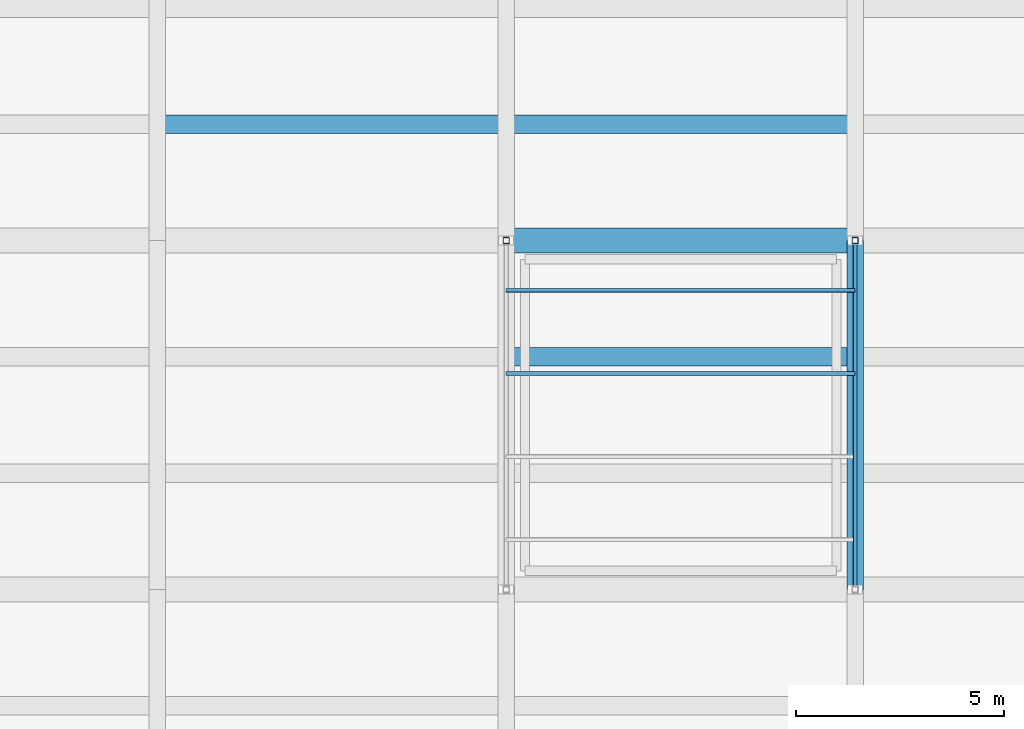
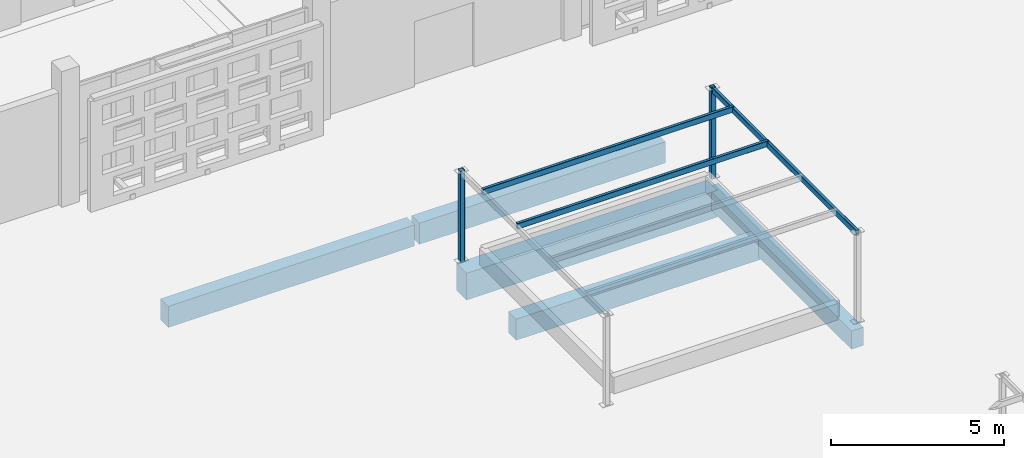
# One storey, part 25 of 129: 5 beams, 5 members.
"""IFC4 building model written with IfcOpenShell, lengths in metres."""

import ifcopenshell
import ifcopenshell.guid

model = None  # the IFC model being written
_history = None  # IfcOwnerHistory: only IFC2X3 demands one
_inside = {}  # id of a spatial element -> (the spatial element, [elements in it])
_under = {}  # id of a project, library or spatial element -> (it, [spatial elements below it])
_declared = {}  # id of a project -> (the project, [libraries it declares])
_typed = {}  # id of a type object -> (the type object, [elements of that type])
_made_of = {}  # id of a material, layer set ... -> (it, [elements and type objects made of it])


def new_model(schema):
    """Start an empty IFC model of exactly this schema.

    Asked for "IFC4X3", IfcOpenShell would pick the latest addendum, in which some entities
    have other attributes; the version numbers below select the first issue.
    IFC2X3 requires an IfcOwnerHistory on every rooted entity: one is made here for all.
    """
    global model, _history
    if schema == "IFC4X3":
        model = ifcopenshell.file(schema_version=(4, 3, 0, 0))
    else:
        model = ifcopenshell.file(schema=schema)
    _inside.clear()
    _under.clear()
    _declared.clear()
    _typed.clear()
    _made_of.clear()
    _history = None
    if model.schema == "IFC2X3":
        org = make("IfcOrganization", Name="unknown")
        user = make(
            "IfcPersonAndOrganization",
            ThePerson=make("IfcPerson", FamilyName="unknown"),
            TheOrganization=org,
        )
        app = make(
            "IfcApplication",
            ApplicationDeveloper=org,
            Version="unknown",
            ApplicationFullName="unknown",
            ApplicationIdentifier="unknown",
        )
        _history = make(
            "IfcOwnerHistory",
            OwningUser=user,
            OwningApplication=app,
            ChangeAction="ADDED",
            CreationDate=0,
        )
    return model


def make(cls, **values):
    """One entity of the class cls with the attributes given. An attribute that is None is left unset."""
    return model.create_entity(
        cls, **{name: value for name, value in values.items() if value is not None}
    )


def rooted(cls, **values):
    """An entity with a GlobalId (a new one), such as an element, a storey or a relation."""
    return make(cls, GlobalId=ifcopenshell.guid.new(), OwnerHistory=_history, **values)


def si_unit(unit_type, name, prefix=None):
    """IfcSIUnit, for example si_unit("LENGTHUNIT", "METRE", prefix="MILLI")."""
    return make("IfcSIUnit", UnitType=unit_type, Prefix=prefix, Name=name)


def assignment(units):
    """IfcUnitAssignment: the units of a project."""
    return None if units is None else make("IfcUnitAssignment", Units=units)


def point(xyz):
    """IfcCartesianPoint."""
    return None if xyz is None else make("IfcCartesianPoint", Coordinates=xyz)


def direction(xyz):
    """IfcDirection."""
    return None if xyz is None else make("IfcDirection", DirectionRatios=xyz)


def frame(location, z_axis=None, x_axis=None):
    """IfcAxis2Placement3D, a coordinate frame: its origin and axes. An axis left out is left unset."""
    return make(
        "IfcAxis2Placement3D",
        Location=point(location),
        Axis=direction(z_axis),
        RefDirection=direction(x_axis),
    )


def frame_2d(location, x_axis=None):
    """IfcAxis2Placement2D, a coordinate frame in the plane: its origin and x axis."""
    return make(
        "IfcAxis2Placement2D", Location=point(location), RefDirection=direction(x_axis)
    )


def origin():
    """The frame at (0, 0, 0) with its axes left unset."""
    return frame((0.0, 0.0, 0.0))


def origin_2d():
    """The frame at (0, 0) in the plane with its x axis left unset."""
    return frame_2d((0.0, 0.0))


def place(relative_to, where):
    """IfcLocalPlacement: puts the frame where relative to a parent placement (None: the world)."""
    return make(
        "IfcLocalPlacement", PlacementRelTo=relative_to, RelativePlacement=where
    )


def context(
    kind, dimensions, precision=None, world=None, true_north=None, identifier=None
):
    """IfcGeometricRepresentationContext, for example the 3D "Model" context."""
    return make(
        "IfcGeometricRepresentationContext",
        ContextIdentifier=identifier,
        ContextType=kind,
        CoordinateSpaceDimension=dimensions,
        Precision=precision,
        WorldCoordinateSystem=world,
        TrueNorth=true_north,
    )


def subcontext(parent, identifier, kind, view, scale=None):
    """IfcGeometricRepresentationSubContext, for example "Body" below "Model"."""
    return make(
        "IfcGeometricRepresentationSubContext",
        ContextIdentifier=identifier,
        ContextType=kind,
        ParentContext=parent,
        TargetScale=scale,
        TargetView=view,
    )


def project(units=None, contexts=None):
    """IfcProject with its units and contexts."""
    return rooted(
        "IfcProject",
        Name="project",
        RepresentationContexts=contexts,
        UnitsInContext=assignment(units),
    )


def spatial(cls, under=None, at=None, **own):
    """A site, building, storey or space (cls), placed at a placement, below another one or the project."""
    s = rooted(cls, ObjectPlacement=at, **own)
    if under is not None:
        _under.setdefault(under.id(), (under, []))[1].append(s)
    return s


def profile(cls, at=None, kind="AREA", **sizes):
    """A parametric profile (cls). Its sizes go by their IFC names, for example OverallWidth=200.0."""
    return make(cls, ProfileType=kind, Position=at, **sizes)


def rectangle(**sizes):
    """IfcRectangleProfileDef."""
    return profile("IfcRectangleProfileDef", **sizes)


def hollow_rectangle(**sizes):
    """IfcRectangleHollowProfileDef."""
    return profile("IfcRectangleHollowProfileDef", **sizes)


def extrude(swept, where, along, depth):
    """IfcExtrudedAreaSolid: the profile swept, set in the frame where, extruded along a direction by depth."""
    return make(
        "IfcExtrudedAreaSolid",
        SweptArea=swept,
        Position=where,
        ExtrudedDirection=direction(along),
        Depth=depth,
    )


def shape(context_of_items, identifier, shape_type, items):
    """IfcShapeRepresentation: the items that make up one representation, for example the "Body"."""
    return make(
        "IfcShapeRepresentation",
        ContextOfItems=context_of_items,
        RepresentationIdentifier=identifier,
        RepresentationType=shape_type,
        Items=items,
    )


def material(Name=None, Category=None):
    """IfcMaterial."""
    return make("IfcMaterial", Name=Name, Category=Category)


def material_profile(
    of_material, cross_section, Name=None, Category=None, Priority=None
):
    """IfcMaterialProfile: a cross section and its material."""
    return make(
        "IfcMaterialProfile",
        Name=Name,
        Material=of_material,
        Profile=cross_section,
        Priority=Priority,
        Category=Category,
    )


def profile_set(profiles, Name=None, composite=None):
    """IfcMaterialProfileSet."""
    return make(
        "IfcMaterialProfileSet",
        Name=Name,
        MaterialProfiles=profiles,
        CompositeProfile=composite,
    )


def made_of(thing, what):
    """Note that an element or type object is made of a material, layer set ...; save() writes the relation."""
    if what is not None:
        _made_of.setdefault(what.id(), (what, []))[1].append(thing)
    return thing


def type_object(cls, material=None, **own):
    """A type object (cls), such as IfcWallType, which elements share."""
    return made_of(rooted(cls, **own), material)


def element(
    cls,
    number,
    at=None,
    inside=None,
    cuts=None,
    type_object=None,
    material=None,
    context=None,
    identifier="Body",
    shape_type=None,
    held_by="IfcProductDefinitionShape",
    body=None,
    shapes=None,
    **own,
):
    """One element of the class cls, such as IfcWall. Its Tag is "e" and its number.

    at: its placement. inside: the storey or other place that contains it. cuts: it is an
    opening in that element (IfcRelVoidsElement). A single representation is given by context,
    identifier, shape_type and body (its items); several are given by shapes. held_by: the class
    of the entity that holds the representations. save() writes the other relations.
    """
    e = rooted(cls, Tag="e%d" % number, ObjectPlacement=at, **own)
    if body is not None:
        shapes = [shape(context, identifier, shape_type, body)]
    if shapes is not None:
        e.Representation = make(held_by, Representations=shapes)
    if inside is not None:
        _inside.setdefault(inside.id(), (inside, []))[1].append(e)
    if cuts is not None:
        rooted(
            "IfcRelVoidsElement", RelatingBuildingElement=cuts, RelatedOpeningElement=e
        )
    if type_object is not None:
        _typed.setdefault(type_object.id(), (type_object, []))[1].append(e)
    return made_of(e, material)


def aggregate(whole, parts):
    """IfcRelAggregates: a whole, such as a stair, and the parts it consists of."""
    return rooted("IfcRelAggregates", RelatingObject=whole, RelatedObjects=parts)


def save(model, path):
    """Write the relations noted so far, then the file.

    IfcRelAggregates (storeys below a building ...), IfcRelContainedInSpatialStructure (elements
    in a storey), IfcRelDefinesByType, IfcRelAssociatesMaterial and IfcRelDeclares: one each for
    every whole, place, type object, material and project.
    """
    for whole, parts in _under.values():
        aggregate(whole, parts)
    for where, things in _inside.values():
        rooted(
            "IfcRelContainedInSpatialStructure",
            RelatedElements=things,
            RelatingStructure=where,
        )
    for kind, things in _typed.values():
        rooted("IfcRelDefinesByType", RelatedObjects=things, RelatingType=kind)
    for what, things in _made_of.values():
        rooted("IfcRelAssociatesMaterial", RelatedObjects=things, RelatingMaterial=what)
    for by, libraries in _declared.values():
        rooted("IfcRelDeclares", RelatingContext=by, RelatedDefinitions=libraries)
    model.write(path)


model = new_model("IFC4")

# Units and contexts
model_context = context("Model", 3, precision=1e-05, world=origin(), true_north=direction((0.0, 1.0)))
body_context = subcontext(model_context, "Body", "Model", "MODEL_VIEW")
ifc_project = project(units=[si_unit("LENGTHUNIT", "METRE"), si_unit("AREAUNIT", "SQUARE_METRE"), si_unit("VOLUMEUNIT", "CUBIC_METRE"), si_unit("PLANEANGLEUNIT", "RADIAN"), si_unit("MASSUNIT", "GRAM", prefix="KILO")], contexts=[model_context])

# Site, building, storey
site_placement = place(None, origin())
site = spatial("IfcSite", under=ifc_project, at=site_placement, CompositionType="ELEMENT")
building_placement = place(site_placement, origin())
building = spatial("IfcBuilding", under=site, at=building_placement, Name="Varnapada Polytechnic", CompositionType="ELEMENT")
storey_placement = place(building_placement, origin())
storey = spatial("IfcBuildingStorey", under=building, at=storey_placement, Name="L00", CompositionType="ELEMENT", Elevation=0.0)

# Beams
ifc_material_1 = material(Name="Concrete C40/50", Category="concrete")
ifc_material_profile_1 = material_profile(ifc_material_1, rectangle(XDim=0.449951171875, YDim=0.75, at=origin_2d()), Name="RC 450x750")
ifc_profile_set_1 = profile_set([ifc_material_profile_1], Name="Concrete C40/50")
beam_type_1 = type_object("IfcBeamType", Name="Basement/podium secondary beam BB-01 (RC 450x750)", PredefinedType="BEAM", material=ifc_profile_set_1)
beam_1_placement = place(storey_placement, frame((58.8798828125, 78.39990234375, -0.655029296875), z_axis=(1.0, 0.0, 0.0), x_axis=(0.0, 1.0, 0.0)))
element("IfcBeam", 1, at=beam_1_placement, inside=storey, type_object=beam_type_1, Name="L00 floor joist 8/10.1", PredefinedType="BEAM", context=body_context, shape_type="SweptSolid", body=[
    extrude(rectangle(XDim=0.449951171875, YDim=0.75, at=origin_2d()), origin(), (0.0, 0.0, 1.0), 8.240234375),
])
for number, where, z_axis, x_axis, name in (
    (2, (67.280029296875, 72.800048828125, -0.655029296875), (1.0, 0.0, 0.0), (0.0, 1.0, 0.0), "L00 floor joist 9/9.2"),
    (3, (67.280029296875, 78.39990234375, -0.655029296875), (1.0, 0.0, 0.0), (0.0, 1.0, 0.0), "L00 floor joist 9/10.1"),
):
    element("IfcBeam", number, at=place(storey_placement, frame(where, z_axis=z_axis, x_axis=x_axis)), inside=storey, type_object=beam_type_1, Name=name, PredefinedType="BEAM", context=body_context, shape_type="SweptSolid", body=[
        extrude(rectangle(XDim=0.449951171875, YDim=0.75, at=origin_2d()), origin(), (0.0, 0.0, 1.0), 8.239990234375),
    ])

# Members
ifc_material_2 = material(Name="Steel S355", Category="steel")
ifc_material_profile_2 = material_profile(ifc_material_2, hollow_rectangle(XDim=0.10009765625, YDim=0.199951171875, WallThickness=0.00634765625, InnerFilletRadius=0.006103515625, OuterFilletRadius=0.011962890625, at=origin_2d()), Name="RHS 200x100x6.3")
ifc_profile_set_2 = profile_set([ifc_material_profile_2], Name="Steel S355")
member_type_1 = type_object("IfcMemberType", Name="Gable and library roof steel purlin PR-01 (RHS 200x100x6.3)", PredefinedType="PURLIN", material=ifc_profile_set_2)
for number, where, z_axis, x_axis, name in (
    (4, (75.60009765625, 67.199951171875, 3.1201171875), (0.0, 1.0, 0.0), (-1.0, 0.0, 0.0), "Courtyard planted garden pergola girder CT-BED-4.2"),
    (5, (67.199951171875, 72.39990234375, 3.159912109375), (1.0, 0.0, 0.0), (0.0, 1.0, 0.0), "Courtyard planted garden shade trellis CT-BED-4.3"),
    (6, (67.199951171875, 74.39990234375, 3.159912109375), (1.0, 0.0, 0.0), (0.0, 1.0, 0.0), "Courtyard planted garden shade trellis CT-BED-4.4"),
):
    element("IfcMember", number, at=place(storey_placement, frame(where, z_axis=z_axis, x_axis=x_axis)), inside=storey, type_object=member_type_1, Name=name, PredefinedType="PURLIN", context=body_context, shape_type="SweptSolid", body=[
        extrude(hollow_rectangle(XDim=0.10009765625, YDim=0.199951171875, WallThickness=0.00634765625, InnerFilletRadius=0.006103515625, OuterFilletRadius=0.011962890625, at=origin_2d()), origin(), (0.0, 0.0, 1.0), 8.400146484375),
    ])

# Beam
ifc_material_profile_3 = material_profile(ifc_material_1, rectangle(XDim=0.39990234375, YDim=0.64990234375, at=origin_2d()), Name="RC 400x650")
ifc_profile_set_3 = profile_set([ifc_material_profile_3], Name="Concrete C40/50")
beam_type_2 = type_object("IfcBeamType", Name="Podium framing beam BB-02 (RC 400x650)", PredefinedType="BEAM", material=ifc_profile_set_3)
beam_2_placement = place(storey_placement, frame((75.60009765625, 67.199951171875, -0.60498046875), z_axis=(0.0, 1.0, 0.0), x_axis=(-1.0, 0.0, 0.0)))
element("IfcBeam", 7, at=beam_2_placement, inside=storey, type_object=beam_type_2, Name="L00 beam Y 9-10 at X10", PredefinedType="BEAM", context=body_context, shape_type="SweptSolid", body=[
    extrude(rectangle(XDim=0.39990234375, YDim=0.64990234375, at=origin_2d()), origin(), (0.0, 0.0, 1.0), 8.400146484375),
])

# Members
ifc_material_profile_4 = material_profile(ifc_material_2, hollow_rectangle(XDim=0.14990234375, YDim=0.14990234375, WallThickness=0.00634765625, InnerFilletRadius=0.006103515625, OuterFilletRadius=0.011962890625, at=origin_2d()), Name="SHS 150x150x6.3")
ifc_profile_set_4 = profile_set([ifc_material_profile_4], Name="Steel S355")
member_type_2 = type_object("IfcMemberType", Name="Sawtooth north-light mullion post SFP-02 (SHS 150x150x6.3)", PredefinedType="POST", material=ifc_profile_set_4)
for number, where, z_axis, x_axis, name in (
    (8, (67.199951171875, 75.60009765625, -0.02001953125), (0.0, 0.0, 1.0), (1.0, 0.0, 0.0), "Courtyard planted garden trellis post CT-BED-4.1.2"),
    (9, (75.60009765625, 75.60009765625, -0.02001953125), (0.0, 0.0, 1.0), (1.0, 0.0, 0.0), "Courtyard planted garden trellis post CT-BED-4.2.2"),
):
    element("IfcMember", number, at=place(storey_placement, frame(where, z_axis=z_axis, x_axis=x_axis)), inside=storey, type_object=member_type_2, Name=name, PredefinedType="POST", context=body_context, shape_type="SweptSolid", body=[
        extrude(hollow_rectangle(XDim=0.14990234375, YDim=0.14990234375, WallThickness=0.00634765625, InnerFilletRadius=0.006103515625, OuterFilletRadius=0.011962890625, at=origin_2d()), origin(), (0.0, 0.0, 1.0), 3.239990234375),
    ])

# Beam
ifc_material_profile_5 = material_profile(ifc_material_1, rectangle(XDim=0.60009765625, YDim=0.949951171875, at=origin_2d()), Name="RC 600x950")
ifc_profile_set_5 = profile_set([ifc_material_profile_5], Name="Concrete C40/50")
beam_type_3 = type_object("IfcBeamType", Name="Workshop podium heavy girder BG-03 (RC 600x950)", PredefinedType="T_BEAM", material=ifc_profile_set_5)
beam_3_placement = place(storey_placement, frame((67.199951171875, 75.60009765625, -0.7548828125), z_axis=(1.0, 0.0, 0.0), x_axis=(0.0, 1.0, 0.0)))
element("IfcBeam", 10, at=beam_3_placement, inside=storey, type_object=beam_type_3, Name="L00 beam X 9-10 at Y10", PredefinedType="T_BEAM", context=body_context, shape_type="SweptSolid", body=[
    extrude(rectangle(XDim=0.60009765625, YDim=0.949951171875, at=origin_2d()), origin(), (0.0, 0.0, 1.0), 8.400146484375),
])

save(model, "model.ifc")
